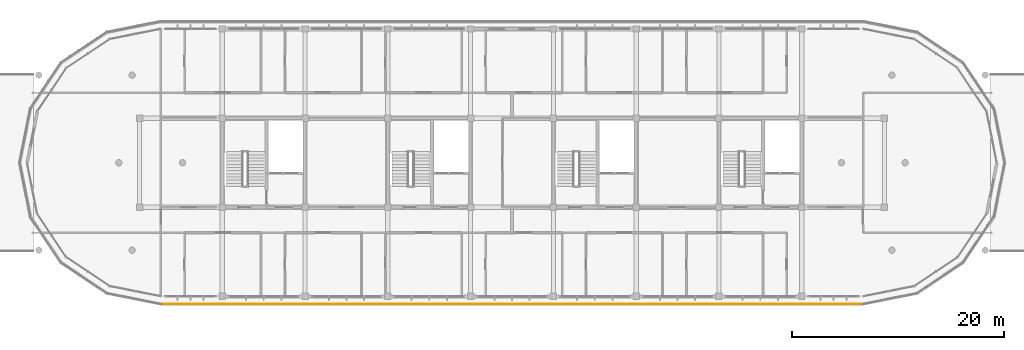
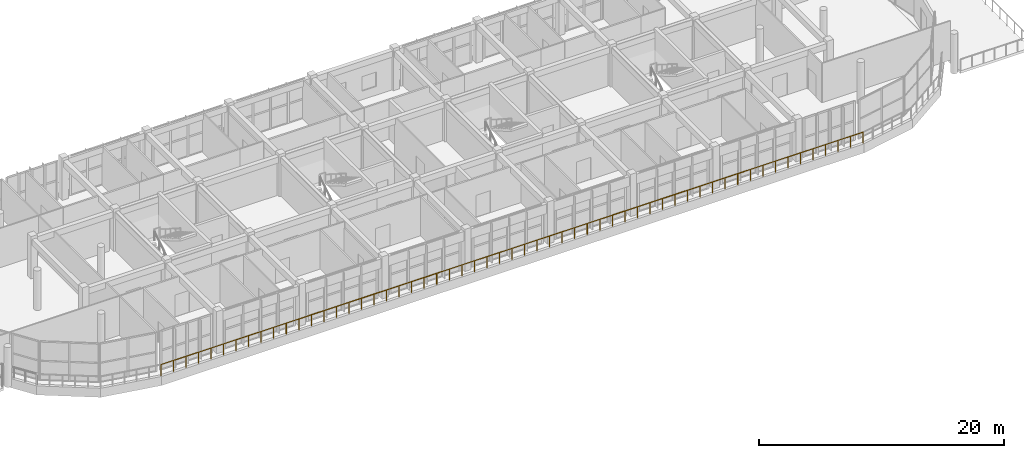
# One storey, part 47 of 50: 1 railing.
"""IFC4 building model written with IfcOpenShell, lengths in metres."""

from ifc_helpers import new_model, si_unit, direction, frame, origin, origin_2d, place, context, subcontext, project, spatial, circle, hollow_circle, extrude, material, material_profile, profile_set, type_object, element, save


model = new_model("IFC4")

# Units and contexts
model_context = context("Model", 3, precision=1e-05, world=origin(), true_north=direction((0.0, 1.0)))
body_context = subcontext(model_context, "Body", "Model", "MODEL_VIEW")
ifc_project = project(units=[si_unit("LENGTHUNIT", "METRE"), si_unit("AREAUNIT", "SQUARE_METRE"), si_unit("VOLUMEUNIT", "CUBIC_METRE"), si_unit("PLANEANGLEUNIT", "RADIAN"), si_unit("MASSUNIT", "GRAM", prefix="KILO")], contexts=[model_context])

# Site, building, storey
site_placement = place(None, origin())
site = spatial("IfcSite", under=ifc_project, at=site_placement, CompositionType="ELEMENT")
building_placement = place(site_placement, origin())
building = spatial("IfcBuilding", under=site, at=building_placement, Name="Zizhar Promenade General Hospital", CompositionType="ELEMENT")
storey_placement = place(building_placement, frame((0.0, 0.0, 30.60009765625)))
storey = spatial("IfcBuildingStorey", under=building, at=storey_placement, Name="L07", CompositionType="ELEMENT", Elevation=30.60009765625)

# Railing
ifc_material = material(Name="Anodised aluminium 6063-T6", Category="aluminium")
ifc_material_profile = material_profile(ifc_material, hollow_circle(Radius=0.06982421875, WallThickness=0.00634765625, at=origin_2d()))
ifc_profile_set = profile_set([ifc_material_profile], Name="Anodised aluminium 6063-T6")
railing_type = type_object("IfcRailingType", Name="RL-GUARD-TERR-1100", PredefinedType="GUARDRAIL", material=ifc_profile_set)
railing_placement = place(storey_placement, frame((41.0, -0.719970703125, 0.0)))
element("IfcRailing", 1, at=railing_placement, inside=storey, type_object=railing_type, Name="Perimeter Safety Guardrail L07-18", PredefinedType="GUARDRAIL", context=body_context, shape_type="SweptSolid", body=[
    extrude(circle(Radius=0.02392578125, at=origin_2d()), frame((0.0, 0.0, 1.09619140625), z_axis=(1.0, 0.0, 0.0), x_axis=(0.0, 1.0, 0.0)), (0.0, 0.0, 1.0), 66.199951171875),
    extrude(circle(Radius=0.02099609375, at=origin_2d()), origin(), (0.0, 0.0, 1.0), 1.072021484375),
    extrude(circle(Radius=0.02099609375, at=origin_2d()), frame((1.18212890625, 0.0, 0.0)), (0.0, 0.0, 1.0), 1.072021484375),
    extrude(circle(Radius=0.02099609375, at=origin_2d()), frame((2.3642578125, 0.0, 0.0)), (0.0, 0.0, 1.0), 1.072021484375),
    extrude(circle(Radius=0.02099609375, at=origin_2d()), frame((3.54638671875, 0.0, 0.0)), (0.0, 0.0, 1.0), 1.072021484375),
    extrude(circle(Radius=0.02099609375, at=origin_2d()), frame((4.728515625, 0.0, 0.0)), (0.0, 0.0, 1.0), 1.072021484375),
    extrude(circle(Radius=0.02099609375, at=origin_2d()), frame((5.91064453125, 0.0, 0.0)), (0.0, 0.0, 1.0), 1.072021484375),
    extrude(circle(Radius=0.02099609375, at=origin_2d()), frame((7.0927734375, 0.0, 0.0)), (0.0, 0.0, 1.0), 1.072021484375),
    extrude(circle(Radius=0.02099609375, at=origin_2d()), frame((8.27490234375, 0.0, 0.0)), (0.0, 0.0, 1.0), 1.072021484375),
    extrude(circle(Radius=0.02099609375, at=origin_2d()), frame((9.45703125, 0.0, 0.0)), (0.0, 0.0, 1.0), 1.072021484375),
    extrude(circle(Radius=0.02099609375, at=origin_2d()), frame((10.63916015625, 0.0, 0.0)), (0.0, 0.0, 1.0), 1.072021484375),
    extrude(circle(Radius=0.02099609375, at=origin_2d()), frame((11.821533203125, 0.0, 0.0)), (0.0, 0.0, 1.0), 1.072021484375),
    extrude(circle(Radius=0.02099609375, at=origin_2d()), frame((13.003662109375, 0.0, 0.0)), (0.0, 0.0, 1.0), 1.072021484375),
    extrude(circle(Radius=0.02099609375, at=origin_2d()), frame((14.185791015625, 0.0, 0.0)), (0.0, 0.0, 1.0), 1.072021484375),
    extrude(circle(Radius=0.02099609375, at=origin_2d()), frame((15.367919921875, 0.0, 0.0)), (0.0, 0.0, 1.0), 1.072021484375),
    extrude(circle(Radius=0.02099609375, at=origin_2d()), frame((16.550048828125, 0.0, 0.0)), (0.0, 0.0, 1.0), 1.072021484375),
    extrude(circle(Radius=0.02099609375, at=origin_2d()), frame((17.732177734375, 0.0, 0.0)), (0.0, 0.0, 1.0), 1.072021484375),
    extrude(circle(Radius=0.02099609375, at=origin_2d()), frame((18.914306640625, 0.0, 0.0)), (0.0, 0.0, 1.0), 1.072021484375),
    extrude(circle(Radius=0.02099609375, at=origin_2d()), frame((20.096435546875, 0.0, 0.0)), (0.0, 0.0, 1.0), 1.072021484375),
    extrude(circle(Radius=0.02099609375, at=origin_2d()), frame((21.278564453125, 0.0, 0.0)), (0.0, 0.0, 1.0), 1.072021484375),
    extrude(circle(Radius=0.02099609375, at=origin_2d()), frame((22.460693359375, 0.0, 0.0)), (0.0, 0.0, 1.0), 1.072021484375),
    extrude(circle(Radius=0.02099609375, at=origin_2d()), frame((23.642822265625, 0.0, 0.0)), (0.0, 0.0, 1.0), 1.072021484375),
    extrude(circle(Radius=0.02099609375, at=origin_2d()), frame((24.824951171875, 0.0, 0.0)), (0.0, 0.0, 1.0), 1.072021484375),
    extrude(circle(Radius=0.02099609375, at=origin_2d()), frame((26.007080078125, 0.0, 0.0)), (0.0, 0.0, 1.0), 1.072021484375),
    extrude(circle(Radius=0.02099609375, at=origin_2d()), frame((27.189208984375, 0.0, 0.0)), (0.0, 0.0, 1.0), 1.072021484375),
    extrude(circle(Radius=0.02099609375, at=origin_2d()), frame((28.371337890625, 0.0, 0.0)), (0.0, 0.0, 1.0), 1.072021484375),
    extrude(circle(Radius=0.02099609375, at=origin_2d()), frame((29.553466796875, 0.0, 0.0)), (0.0, 0.0, 1.0), 1.072021484375),
    extrude(circle(Radius=0.02099609375, at=origin_2d()), frame((30.735595703125, 0.0, 0.0)), (0.0, 0.0, 1.0), 1.072021484375),
    extrude(circle(Radius=0.02099609375, at=origin_2d()), frame((31.917724609375, 0.0, 0.0)), (0.0, 0.0, 1.0), 1.072021484375),
    extrude(circle(Radius=0.02099609375, at=origin_2d()), frame((33.10009765625, 0.0, 0.0)), (0.0, 0.0, 1.0), 1.072021484375),
    extrude(circle(Radius=0.02099609375, at=origin_2d()), frame((34.2822265625, 0.0, 0.0)), (0.0, 0.0, 1.0), 1.072021484375),
    extrude(circle(Radius=0.02099609375, at=origin_2d()), frame((35.46435546875, 0.0, 0.0)), (0.0, 0.0, 1.0), 1.072021484375),
    extrude(circle(Radius=0.02099609375, at=origin_2d()), frame((36.646484375, 0.0, 0.0)), (0.0, 0.0, 1.0), 1.072021484375),
    extrude(circle(Radius=0.02099609375, at=origin_2d()), frame((37.82861328125, 0.0, 0.0)), (0.0, 0.0, 1.0), 1.072021484375),
    extrude(circle(Radius=0.02099609375, at=origin_2d()), frame((39.0107421875, 0.0, 0.0)), (0.0, 0.0, 1.0), 1.072021484375),
    extrude(circle(Radius=0.02099609375, at=origin_2d()), frame((40.19287109375, 0.0, 0.0)), (0.0, 0.0, 1.0), 1.072021484375),
    extrude(circle(Radius=0.02099609375, at=origin_2d()), frame((41.375, 0.0, 0.0)), (0.0, 0.0, 1.0), 1.072021484375),
    extrude(circle(Radius=0.02099609375, at=origin_2d()), frame((42.55712890625, 0.0, 0.0)), (0.0, 0.0, 1.0), 1.072021484375),
    extrude(circle(Radius=0.02099609375, at=origin_2d()), frame((43.7392578125, 0.0, 0.0)), (0.0, 0.0, 1.0), 1.072021484375),
    extrude(circle(Radius=0.02099609375, at=origin_2d()), frame((44.92138671875, 0.0, 0.0)), (0.0, 0.0, 1.0), 1.072021484375),
    extrude(circle(Radius=0.02099609375, at=origin_2d()), frame((46.103515625, 0.0, 0.0)), (0.0, 0.0, 1.0), 1.072021484375),
    extrude(circle(Radius=0.02099609375, at=origin_2d()), frame((47.28564453125, 0.0, 0.0)), (0.0, 0.0, 1.0), 1.072021484375),
    extrude(circle(Radius=0.02099609375, at=origin_2d()), frame((48.4677734375, 0.0, 0.0)), (0.0, 0.0, 1.0), 1.072021484375),
    extrude(circle(Radius=0.02099609375, at=origin_2d()), frame((49.64990234375, 0.0, 0.0)), (0.0, 0.0, 1.0), 1.072021484375),
    extrude(circle(Radius=0.02099609375, at=origin_2d()), frame((50.83203125, 0.0, 0.0)), (0.0, 0.0, 1.0), 1.072021484375),
    extrude(circle(Radius=0.02099609375, at=origin_2d()), frame((52.01416015625, 0.0, 0.0)), (0.0, 0.0, 1.0), 1.072021484375),
    extrude(circle(Radius=0.02099609375, at=origin_2d()), frame((53.1962890625, 0.0, 0.0)), (0.0, 0.0, 1.0), 1.072021484375),
    extrude(circle(Radius=0.02099609375, at=origin_2d()), frame((54.37841796875, 0.0, 0.0)), (0.0, 0.0, 1.0), 1.072021484375),
    extrude(circle(Radius=0.02099609375, at=origin_2d()), frame((55.560791015625, 0.0, 0.0)), (0.0, 0.0, 1.0), 1.072021484375),
    extrude(circle(Radius=0.02099609375, at=origin_2d()), frame((56.742919921875, 0.0, 0.0)), (0.0, 0.0, 1.0), 1.072021484375),
    extrude(circle(Radius=0.02099609375, at=origin_2d()), frame((57.925048828125, 0.0, 0.0)), (0.0, 0.0, 1.0), 1.072021484375),
    extrude(circle(Radius=0.02099609375, at=origin_2d()), frame((59.107177734375, 0.0, 0.0)), (0.0, 0.0, 1.0), 1.072021484375),
    extrude(circle(Radius=0.02099609375, at=origin_2d()), frame((60.289306640625, 0.0, 0.0)), (0.0, 0.0, 1.0), 1.072021484375),
    extrude(circle(Radius=0.02099609375, at=origin_2d()), frame((61.471435546875, 0.0, 0.0)), (0.0, 0.0, 1.0), 1.072021484375),
    extrude(circle(Radius=0.02099609375, at=origin_2d()), frame((62.653564453125, 0.0, 0.0)), (0.0, 0.0, 1.0), 1.072021484375),
    extrude(circle(Radius=0.02099609375, at=origin_2d()), frame((63.835693359375, 0.0, 0.0)), (0.0, 0.0, 1.0), 1.072021484375),
    extrude(circle(Radius=0.02099609375, at=origin_2d()), frame((65.017822265625, 0.0, 0.0)), (0.0, 0.0, 1.0), 1.072021484375),
    extrude(circle(Radius=0.02099609375, at=origin_2d()), frame((66.199951171875, 0.0, 0.0)), (0.0, 0.0, 1.0), 1.072021484375),
])

save(model, "model.ifc")
